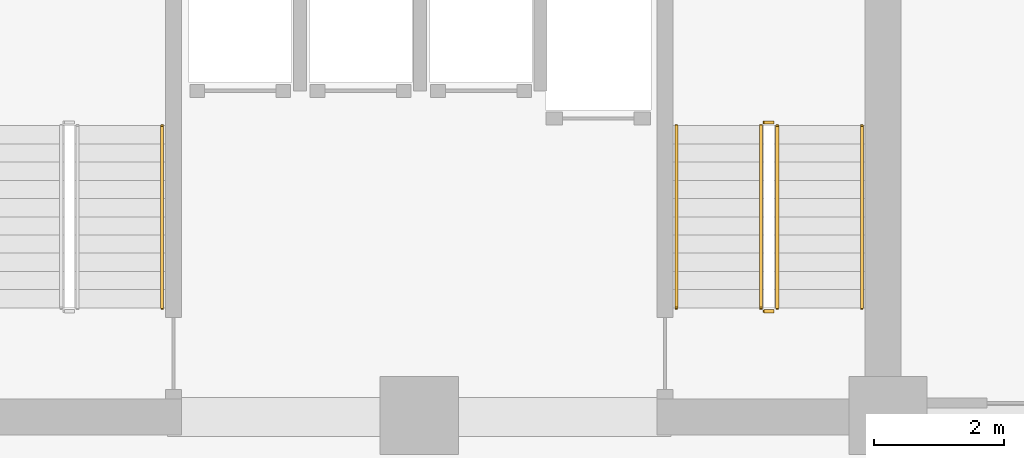
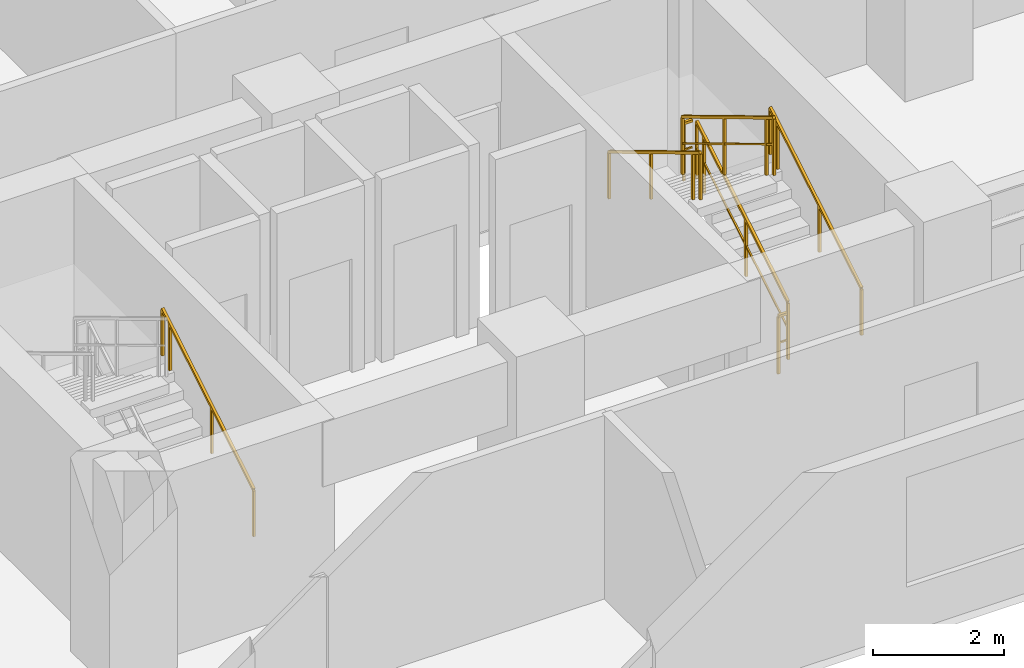
# One storey, part 15 of 16: 7 railings.
"""IFC4 building model written with IfcOpenShell, lengths in metres."""

from ifc_helpers import new_model, si_unit, direction, frame, origin, origin_2d, place, context, subcontext, project, spatial, rectangle, extrude, material, type_object, element, save


model = new_model("IFC4")

# Units and contexts
model_context = context("Model", 3, precision=1e-05, world=origin(), true_north=direction((0.0, 1.0)))
body_context = subcontext(model_context, "Body", "Model", "MODEL_VIEW")
ifc_project = project(units=[si_unit("LENGTHUNIT", "METRE"), si_unit("AREAUNIT", "SQUARE_METRE"), si_unit("VOLUMEUNIT", "CUBIC_METRE"), si_unit("PLANEANGLEUNIT", "RADIAN"), si_unit("MASSUNIT", "GRAM", prefix="KILO")], contexts=[model_context])

# Site, building, storey
site_placement = place(None, origin())
site = spatial("IfcSite", under=ifc_project, at=site_placement, CompositionType="ELEMENT")
building_placement = place(site_placement, origin())
building = spatial("IfcBuilding", under=site, at=building_placement, Name="Kaliganga Portal Commons", CompositionType="ELEMENT")
storey_placement = place(building_placement, frame((0.0, 0.0, 82.300048828125)))
storey = spatial("IfcBuildingStorey", under=building, at=storey_placement, Name="L20", CompositionType="ELEMENT", Elevation=82.300048828125)

# Railings
ifc_material_1 = material(Name="Galvanized Painted Steel Balustrade", Category="steel")
railing_type_1 = type_object("IfcRailingType", Name="RLG-STAIR-GRD", PredefinedType="GUARDRAIL", material=ifc_material_1)
railing_1_placement = place(storey_placement, frame((48.699951171875, 8.699951171875, 0.168212890625)))
element("IfcRailing", 1, at=railing_1_placement, inside=storey, type_object=railing_type_1, Name="L20 ST-B2 stair guard 1", PredefinedType="GUARDRAIL", context=body_context, shape_type="SweptSolid", body=[
    extrude(rectangle(XDim=0.048095703125, YDim=0.048095703125, at=origin_2d()), frame((0.0, 0.0, 1.072021484375), z_axis=(0.0, 0.857275202839, 0.514858452973), x_axis=(-1.0, 0.0, 0.0)), (0.0, 0.0, 1.0), 3.26611328125),
    extrude(rectangle(XDim=0.028076171875, YDim=0.028076171875, at=origin_2d()), frame((0.0, 0.0, 0.572021484375), z_axis=(0.0, 0.857275202839, 0.514858452973), x_axis=(-1.0, 0.0, 0.0)), (0.0, 0.0, 1.0), 3.26611328125),
    extrude(rectangle(XDim=0.0419921875, YDim=0.0419921875, at=origin_2d()), origin(), (0.0, 0.0, 1.0), 1.052001953125),
    extrude(rectangle(XDim=0.0419921875, YDim=0.0419921875, at=origin_2d()), frame((0.0, 1.285888671875, 0.772216796875)), (0.0, 0.0, 1.0), 1.052001953125),
    extrude(rectangle(XDim=0.0419921875, YDim=0.0419921875, at=origin_2d()), frame((0.0, 2.57177734375, 1.544677734375)), (0.0, 0.0, 1.0), 1.052001953125),
    extrude(rectangle(XDim=0.0419921875, YDim=0.0419921875, at=origin_2d()), frame((0.0, 2.800048828125, 1.681640625)), (0.0, 0.0, 1.0), 1.052001953125),
])
railing_2_placement = place(storey_placement, frame((48.64990234375, 11.550048828125, 1.849853515625)))
element("IfcRailing", 2, at=railing_2_placement, inside=storey, type_object=railing_type_1, Name="L20 ST-B2 stair guard 2", PredefinedType="GUARDRAIL", context=body_context, shape_type="SweptSolid", body=[
    extrude(rectangle(XDim=0.048095703125, YDim=0.048095703125, at=origin_2d()), frame((0.0, 0.0, 1.076171875), z_axis=(-1.0, 0.0, 0.0), x_axis=(0.0, -1.0, 0.0)), (0.0, 0.0, 1.0), 0.14990234375),
    extrude(rectangle(XDim=0.028076171875, YDim=0.028076171875, at=origin_2d()), frame((0.0, 0.0, 0.572021484375), z_axis=(-1.0, 0.0, 0.0), x_axis=(0.0, -1.0, 0.0)), (0.0, 0.0, 1.0), 0.14990234375),
    extrude(rectangle(XDim=0.0419921875, YDim=0.0419921875, at=origin_2d()), frame((-0.14990234375, 0.0, 0.0)), (0.0, 0.0, 1.0), 1.052001953125),
])
railing_3_placement = place(storey_placement, frame((48.449951171875, 11.5, 2.01806640625)))
element("IfcRailing", 3, at=railing_3_placement, inside=storey, type_object=railing_type_1, Name="L20 ST-B2 stair guard 3", PredefinedType="GUARDRAIL", context=body_context, shape_type="SweptSolid", body=[
    extrude(rectangle(XDim=0.048095703125, YDim=0.048095703125, at=origin_2d()), frame((0.0, 0.0, 1.072021484375), z_axis=(0.0, -0.857242210791, 0.514913383045), x_axis=(1.0, 0.0, 0.0)), (0.0, 0.0, 1.0), 3.266357421875),
    extrude(rectangle(XDim=0.028076171875, YDim=0.028076171875, at=origin_2d()), frame((0.0, 0.0, 0.572021484375), z_axis=(0.0, -0.857242210791, 0.514913383045), x_axis=(1.0, 0.0, 0.0)), (0.0, 0.0, 1.0), 3.266357421875),
    extrude(rectangle(XDim=0.0419921875, YDim=0.0419921875, at=origin_2d()), origin(), (0.0, 0.0, 1.0), 1.052001953125),
    extrude(rectangle(XDim=0.0419921875, YDim=0.0419921875, at=origin_2d()), frame((0.0, -1.285888671875, 0.7724609375)), (0.0, 0.0, 1.0), 1.052001953125),
    extrude(rectangle(XDim=0.0419921875, YDim=0.0419921875, at=origin_2d()), frame((0.0, -2.57177734375, 1.544677734375)), (0.0, 0.0, 1.0), 1.052001953125),
    extrude(rectangle(XDim=0.0419921875, YDim=0.0419921875, at=origin_2d()), frame((0.0, -2.800048828125, 1.681884765625)), (0.0, 0.0, 1.0), 1.052001953125),
])
railing_4_placement = place(storey_placement, frame((48.64990234375, 8.64990234375, 0.0)))
element("IfcRailing", 4, at=railing_4_placement, inside=storey, type_object=railing_type_1, Name="L20 ST-B2 stair guard 4", PredefinedType="GUARDRAIL", context=body_context, shape_type="SweptSolid", body=[
    extrude(rectangle(XDim=0.048095703125, YDim=0.048095703125, at=origin_2d()), frame((0.0, 0.0, 1.076171875), z_axis=(-1.0, 0.0, 0.0), x_axis=(0.0, -1.0, 0.0)), (0.0, 0.0, 1.0), 0.14990234375),
    extrude(rectangle(XDim=0.028076171875, YDim=0.028076171875, at=origin_2d()), frame((0.0, 0.0, 0.572021484375), z_axis=(-1.0, 0.0, 0.0), x_axis=(0.0, -1.0, 0.0)), (0.0, 0.0, 1.0), 0.14990234375),
    extrude(rectangle(XDim=0.0419921875, YDim=0.0419921875, at=origin_2d()), frame((-0.14990234375, 0.0, 0.0)), (0.0, 0.0, 1.0), 1.052001953125),
])
ifc_material_2 = material(Name="Brushed Stainless Steel 316", Category="steel")
railing_type_2 = type_object("IfcRailingType", Name="RLG-STAIR-HR", PredefinedType="HANDRAIL", material=ifc_material_2)
for number, where, name in (
    (5, (39.25, 8.699951171875, 0.168212890625), "L20 ST-B1 stair handrail 1"),
    (6, (50.0, 8.699951171875, 0.168212890625), "L20 ST-B2 stair handrail 1"),
):
    element("IfcRailing", number, at=place(storey_placement, frame(where)), inside=storey, type_object=railing_type_2, Name=name, PredefinedType="HANDRAIL", context=body_context, shape_type="SweptSolid", body=[
        extrude(rectangle(XDim=0.048095703125, YDim=0.048095703125, at=origin_2d()), frame((0.0, 0.0, 0.871826171875), z_axis=(0.0, 0.857275202839, 0.514858452973), x_axis=(-1.0, 0.0, 0.0)), (0.0, 0.0, 1.0), 3.26611328125),
        extrude(rectangle(XDim=0.0419921875, YDim=0.0419921875, at=origin_2d()), origin(), (0.0, 0.0, 1.0), 0.851806640625),
        extrude(rectangle(XDim=0.0419921875, YDim=0.0419921875, at=origin_2d()), frame((0.0, 1.285888671875, 0.772216796875)), (0.0, 0.0, 1.0), 0.851806640625),
        extrude(rectangle(XDim=0.0419921875, YDim=0.0419921875, at=origin_2d()), frame((0.0, 2.57177734375, 1.544677734375)), (0.0, 0.0, 1.0), 0.851806640625),
        extrude(rectangle(XDim=0.0419921875, YDim=0.0419921875, at=origin_2d()), frame((0.0, 2.800048828125, 1.681640625)), (0.0, 0.0, 1.0), 0.851806640625),
    ])
railing_5_placement = place(storey_placement, frame((47.14990234375, 11.5, 2.01806640625)))
element("IfcRailing", 7, at=railing_5_placement, inside=storey, type_object=railing_type_2, Name="L20 ST-B2 stair handrail 2", PredefinedType="HANDRAIL", context=body_context, shape_type="SweptSolid", body=[
    extrude(rectangle(XDim=0.048095703125, YDim=0.048095703125, at=origin_2d()), frame((0.0, 0.0, 0.871826171875), z_axis=(0.0, -0.857242210791, 0.514913383045), x_axis=(1.0, 0.0, 0.0)), (0.0, 0.0, 1.0), 3.266357421875),
    extrude(rectangle(XDim=0.0419921875, YDim=0.0419921875, at=origin_2d()), origin(), (0.0, 0.0, 1.0), 0.851806640625),
    extrude(rectangle(XDim=0.0419921875, YDim=0.0419921875, at=origin_2d()), frame((0.0, -1.285888671875, 0.7724609375)), (0.0, 0.0, 1.0), 0.851806640625),
    extrude(rectangle(XDim=0.0419921875, YDim=0.0419921875, at=origin_2d()), frame((0.0, -2.57177734375, 1.544677734375)), (0.0, 0.0, 1.0), 0.851806640625),
    extrude(rectangle(XDim=0.0419921875, YDim=0.0419921875, at=origin_2d()), frame((0.0, -2.800048828125, 1.681884765625)), (0.0, 0.0, 1.0), 0.851806640625),
])

save(model, "model.ifc")
